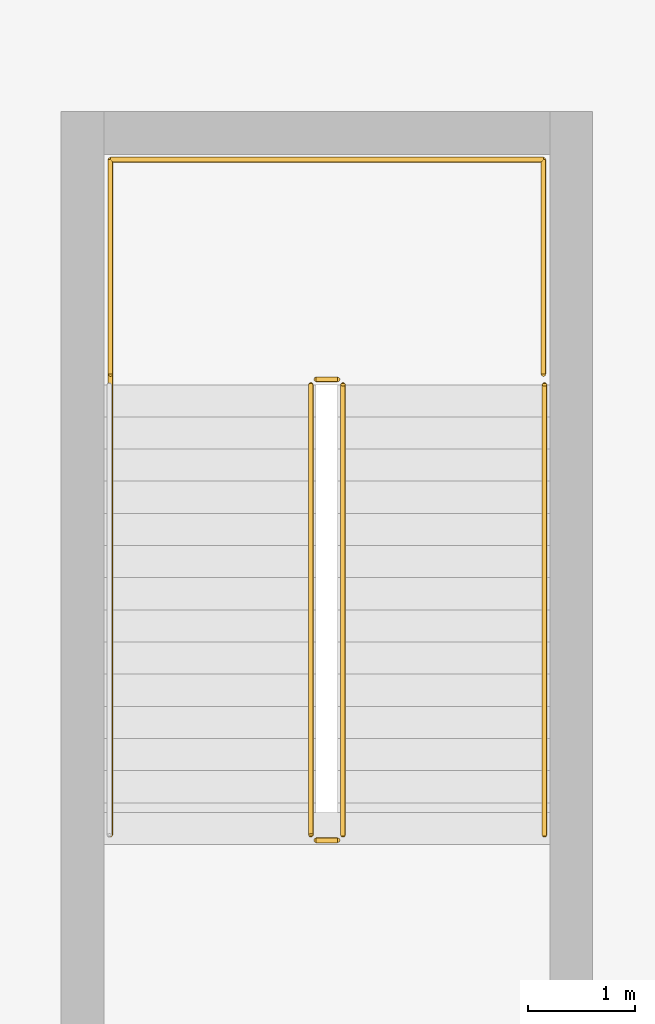
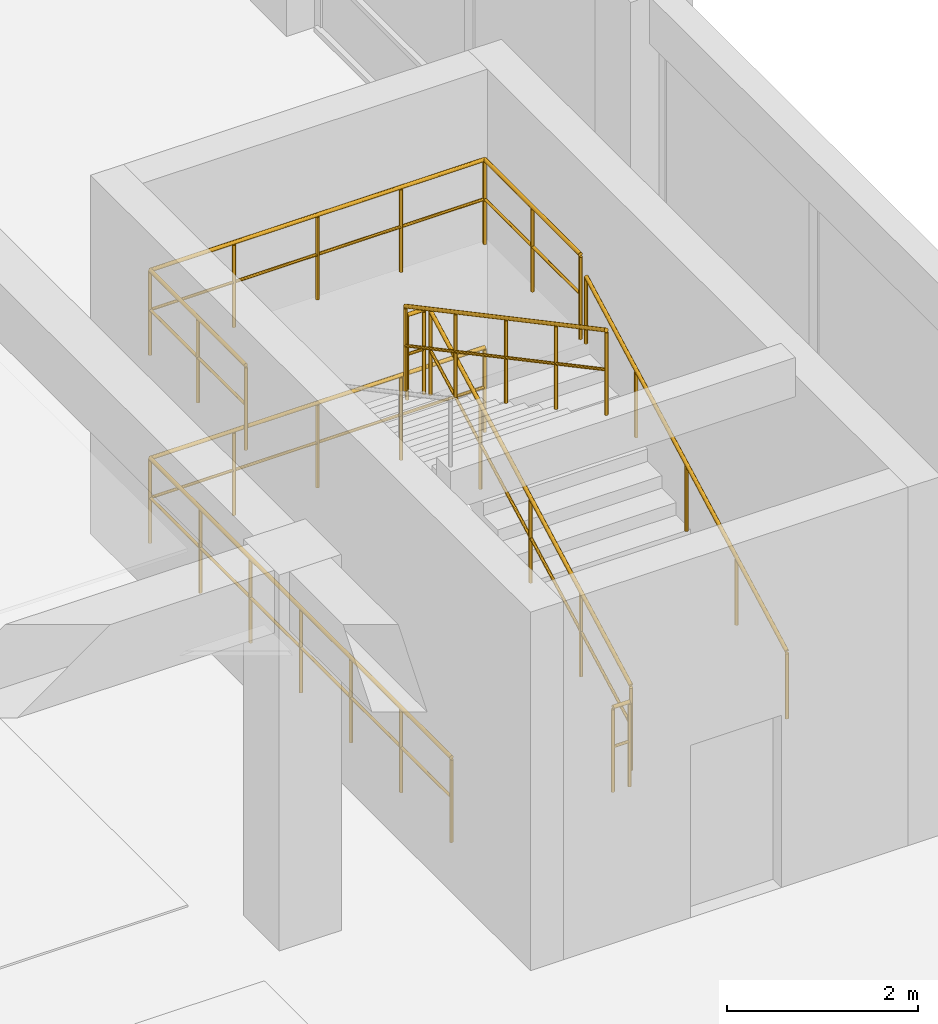
# One storey, part 48 of 52: 7 railings.
"""IFC4 building model written with IfcOpenShell, lengths in metres."""

from ifc_helpers import new_model, si_unit, direction, frame, origin, origin_2d, place, context, subcontext, project, spatial, circle, extrude, material, type_object, element, save


model = new_model("IFC4")

# Units and contexts
model_context = context("Model", 3, precision=1e-05, world=origin(), true_north=direction((0.0, 1.0)))
body_context = subcontext(model_context, "Body", "Model", "MODEL_VIEW")
ifc_project = project(units=[si_unit("LENGTHUNIT", "METRE"), si_unit("AREAUNIT", "SQUARE_METRE"), si_unit("VOLUMEUNIT", "CUBIC_METRE"), si_unit("PLANEANGLEUNIT", "RADIAN"), si_unit("MASSUNIT", "GRAM", prefix="KILO")], contexts=[model_context])

# Site, building, storey
site_placement = place(None, origin())
site = spatial("IfcSite", under=ifc_project, at=site_placement, CompositionType="ELEMENT")
building_placement = place(site_placement, origin())
building = spatial("IfcBuilding", under=site, at=building_placement, Name="Kenerak Square Central Library", CompositionType="ELEMENT")
storey_placement = place(building_placement, frame((0.0, 0.0, 4.800048828125)))
storey = spatial("IfcBuildingStorey", under=building, at=storey_placement, Name="L01", CompositionType="ELEMENT", Elevation=4.800048828125)

# Railings
ifc_material = material(Name="Steel S355", Category="steel")
railing_type_1 = type_object("IfcRailingType", Name="Safety Guardrail GR-1100 S355", PredefinedType="GUARDRAIL", material=ifc_material)
railing_1_placement = place(storey_placement, frame((113.14990234375, 60.449951171875, 0.159912109375)))
element("IfcRailing", 1, at=railing_1_placement, inside=storey, type_object=railing_type_1, Name="L01 ST-09 stair guard 1", PredefinedType="GUARDRAIL", context=body_context, shape_type="SweptSolid", body=[
    extrude(circle(Radius=0.02392578125, at=origin_2d()), frame((0.0, 0.0, 1.076171875), z_axis=(0.0, 0.882351521365, 0.470590897432), x_axis=(-1.0, 0.0, 0.0)), (0.0, 0.0, 1.0), 4.760009765625),
    extrude(circle(Radius=0.01806640625, at=origin_2d()), frame((0.0, 0.0, 0.572021484375), z_axis=(0.0, 0.882351521365, 0.470590897432), x_axis=(-1.0, 0.0, 0.0)), (0.0, 0.0, 1.0), 4.760009765625),
    extrude(circle(Radius=0.02099609375, at=origin_2d()), origin(), (0.0, 0.0, 1.0), 1.052001953125),
    extrude(circle(Radius=0.02099609375, at=origin_2d()), frame((0.0, 1.050048828125, 0.56005859375)), (0.0, 0.0, 1.0), 1.052001953125),
    extrude(circle(Radius=0.02099609375, at=origin_2d()), frame((0.0, 2.10009765625, 1.1201171875)), (0.0, 0.0, 1.0), 1.052001953125),
    extrude(circle(Radius=0.02099609375, at=origin_2d()), frame((0.0, 3.14990234375, 1.679931640625)), (0.0, 0.0, 1.0), 1.052001953125),
    extrude(circle(Radius=0.02099609375, at=origin_2d()), frame((0.0, 4.199951171875, 2.239990234375)), (0.0, 0.0, 1.0), 1.052001953125),
])
railing_2_placement = place(storey_placement, frame((113.10009765625, 64.699951171875, 2.39990234375)))
element("IfcRailing", 2, at=railing_2_placement, inside=storey, type_object=railing_type_1, Name="L01 ST-09 stair guard 2", PredefinedType="GUARDRAIL", context=body_context, shape_type="SweptSolid", body=[
    extrude(circle(Radius=0.02392578125, at=origin_2d()), frame((0.0, 0.0, 1.076171875), z_axis=(-1.0, 0.0, 0.0), x_axis=(0.0, -1.0, 0.0)), (0.0, 0.0, 1.0), 0.2001953125),
    extrude(circle(Radius=0.01806640625, at=origin_2d()), frame((0.0, 0.0, 0.572021484375), z_axis=(-1.0, 0.0, 0.0), x_axis=(0.0, -1.0, 0.0)), (0.0, 0.0, 1.0), 0.2001953125),
    extrude(circle(Radius=0.02099609375, at=origin_2d()), origin(), (0.0, 0.0, 1.0), 1.052001953125),
    extrude(circle(Radius=0.02099609375, at=origin_2d()), frame((-0.2001953125, 0.0, 0.0)), (0.0, 0.0, 1.0), 1.052001953125),
])
railing_3_placement = place(storey_placement, frame((112.85009765625, 64.64990234375, 2.56005859375)))
element("IfcRailing", 3, at=railing_3_placement, inside=storey, type_object=railing_type_1, Name="L01 ST-09 stair guard 3", PredefinedType="GUARDRAIL", context=body_context, shape_type="SweptSolid", body=[
    extrude(circle(Radius=0.02392578125, at=origin_2d()), frame((0.0, 0.0, 1.076171875), z_axis=(0.0, -0.882351521365, 0.470590897432), x_axis=(1.0, 0.0, 0.0)), (0.0, 0.0, 1.0), 4.760009765625),
    extrude(circle(Radius=0.01806640625, at=origin_2d()), frame((0.0, 0.0, 0.572021484375), z_axis=(0.0, -0.882351521365, 0.470590897432), x_axis=(1.0, 0.0, 0.0)), (0.0, 0.0, 1.0), 4.760009765625),
    extrude(circle(Radius=0.02099609375, at=origin_2d()), origin(), (0.0, 0.0, 1.0), 1.052001953125),
    extrude(circle(Radius=0.02099609375, at=origin_2d()), frame((0.0, -1.050048828125, 0.56005859375)), (0.0, 0.0, 1.0), 1.052001953125),
    extrude(circle(Radius=0.02099609375, at=origin_2d()), frame((0.0, -2.10009765625, 1.1201171875)), (0.0, 0.0, 1.0), 1.052001953125),
    extrude(circle(Radius=0.02099609375, at=origin_2d()), frame((0.0, -3.14990234375, 1.679931640625)), (0.0, 0.0, 1.0), 1.052001953125),
    extrude(circle(Radius=0.02099609375, at=origin_2d()), frame((0.0, -4.199951171875, 2.239990234375)), (0.0, 0.0, 1.0), 1.052001953125),
])
railing_4_placement = place(storey_placement, frame((113.10009765625, 60.39990234375, 0.0)))
element("IfcRailing", 4, at=railing_4_placement, inside=storey, type_object=railing_type_1, Name="L01 ST-09 stair guard 4", PredefinedType="GUARDRAIL", context=body_context, shape_type="SweptSolid", body=[
    extrude(circle(Radius=0.02392578125, at=origin_2d()), frame((0.0, 0.0, 1.076171875), z_axis=(-1.0, 0.0, 0.0), x_axis=(0.0, -1.0, 0.0)), (0.0, 0.0, 1.0), 0.2001953125),
    extrude(circle(Radius=0.01806640625, at=origin_2d()), frame((0.0, 0.0, 0.572021484375), z_axis=(-1.0, 0.0, 0.0), x_axis=(0.0, -1.0, 0.0)), (0.0, 0.0, 1.0), 0.2001953125),
    extrude(circle(Radius=0.02099609375, at=origin_2d()), origin(), (0.0, 0.0, 1.0), 1.052001953125),
    extrude(circle(Radius=0.02099609375, at=origin_2d()), frame((-0.2001953125, 0.0, 0.0)), (0.0, 0.0, 1.0), 1.052001953125),
])
railing_5_placement = place(storey_placement, frame((110.97998046875, 64.75, 2.39990234375)))
element("IfcRailing", 5, at=railing_5_placement, inside=storey, type_object=railing_type_1, Name="Stair Half-Landing Guard ST-09 L01", PredefinedType="GUARDRAIL", context=body_context, shape_type="SweptSolid", body=[
    extrude(circle(Radius=0.02392578125, at=origin_2d()), frame((0.0, 0.0, 1.076171875), z_axis=(0.0, 1.0, 0.0), x_axis=(-1.0, 0.0, 0.0)), (0.0, 0.0, 1.0), 2.0),
    extrude(circle(Radius=0.01806640625, at=origin_2d()), frame((0.0, 0.0, 0.572021484375), z_axis=(0.0, 1.0, 0.0), x_axis=(-1.0, 0.0, 0.0)), (0.0, 0.0, 1.0), 2.0),
    extrude(circle(Radius=0.02392578125, at=origin_2d()), frame((0.0, 2.0, 1.076171875), z_axis=(1.0, 0.0, 0.0), x_axis=(0.0, 1.0, 0.0)), (0.0, 0.0, 1.0), 4.0400390625),
    extrude(circle(Radius=0.01806640625, at=origin_2d()), frame((0.0, 2.0, 0.572021484375), z_axis=(1.0, 0.0, 0.0), x_axis=(0.0, 1.0, 0.0)), (0.0, 0.0, 1.0), 4.0400390625),
    extrude(circle(Radius=0.02392578125, at=origin_2d()), frame((4.0400390625, 2.0, 1.076171875), z_axis=(0.0, -1.0, 0.0), x_axis=(1.0, 0.0, 0.0)), (0.0, 0.0, 1.0), 2.0),
    extrude(circle(Radius=0.01806640625, at=origin_2d()), frame((4.0400390625, 2.0, 0.572021484375), z_axis=(0.0, -1.0, 0.0), x_axis=(1.0, 0.0, 0.0)), (0.0, 0.0, 1.0), 2.0),
    extrude(circle(Radius=0.02099609375, at=origin_2d()), origin(), (0.0, 0.0, 1.0), 1.052001953125),
    extrude(circle(Radius=0.02099609375, at=origin_2d()), frame((0.0, 1.0, 0.0)), (0.0, 0.0, 1.0), 1.052001953125),
    extrude(circle(Radius=0.02099609375, at=origin_2d()), frame((0.0, 2.0, 0.0)), (0.0, 0.0, 1.0), 1.052001953125),
    extrude(circle(Radius=0.02099609375, at=origin_2d()), frame((1.010009765625, 2.0, 0.0)), (0.0, 0.0, 1.0), 1.052001953125),
    extrude(circle(Radius=0.02099609375, at=origin_2d()), frame((2.02001953125, 2.0, 0.0)), (0.0, 0.0, 1.0), 1.052001953125),
    extrude(circle(Radius=0.02099609375, at=origin_2d()), frame((3.030029296875, 2.0, 0.0)), (0.0, 0.0, 1.0), 1.052001953125),
    extrude(circle(Radius=0.02099609375, at=origin_2d()), frame((4.0400390625, 2.0, 0.0)), (0.0, 0.0, 1.0), 1.052001953125),
    extrude(circle(Radius=0.02099609375, at=origin_2d()), frame((4.0400390625, 1.0, 0.0)), (0.0, 0.0, 1.0), 1.052001953125),
    extrude(circle(Radius=0.02099609375, at=origin_2d()), frame((4.0400390625, 0.0, 0.0)), (0.0, 0.0, 1.0), 1.052001953125),
])
railing_6_placement = place(storey_placement, frame((110.97998046875, 60.449951171875, 0.0)))
element("IfcRailing", 6, at=railing_6_placement, inside=storey, type_object=railing_type_1, Name="Stair Well Floor Guard ST-09 L01", PredefinedType="GUARDRAIL", context=body_context, shape_type="SweptSolid", body=[
    extrude(circle(Radius=0.02392578125, at=origin_2d()), frame((0.0, 0.0, 1.076171875), z_axis=(0.0, 1.0, 0.0), x_axis=(-1.0, 0.0, 0.0)), (0.0, 0.0, 1.0), 6.300048828125),
    extrude(circle(Radius=0.01806640625, at=origin_2d()), frame((0.0, 0.0, 0.572021484375), z_axis=(0.0, 1.0, 0.0), x_axis=(-1.0, 0.0, 0.0)), (0.0, 0.0, 1.0), 6.300048828125),
    extrude(circle(Radius=0.02392578125, at=origin_2d()), frame((0.0, 6.300048828125, 1.076171875), z_axis=(1.0, 0.0, 0.0), x_axis=(0.0, 1.0, 0.0)), (0.0, 0.0, 1.0), 4.0400390625),
    extrude(circle(Radius=0.01806640625, at=origin_2d()), frame((0.0, 6.300048828125, 0.572021484375), z_axis=(1.0, 0.0, 0.0), x_axis=(0.0, 1.0, 0.0)), (0.0, 0.0, 1.0), 4.0400390625),
    extrude(circle(Radius=0.02099609375, at=origin_2d()), origin(), (0.0, 0.0, 1.0), 1.052001953125),
    extrude(circle(Radius=0.02099609375, at=origin_2d()), frame((0.0, 1.050048828125, 0.0)), (0.0, 0.0, 1.0), 1.052001953125),
    extrude(circle(Radius=0.02099609375, at=origin_2d()), frame((0.0, 2.10009765625, 0.0)), (0.0, 0.0, 1.0), 1.052001953125),
    extrude(circle(Radius=0.02099609375, at=origin_2d()), frame((0.0, 3.14990234375, 0.0)), (0.0, 0.0, 1.0), 1.052001953125),
    extrude(circle(Radius=0.02099609375, at=origin_2d()), frame((0.0, 4.199951171875, 0.0)), (0.0, 0.0, 1.0), 1.052001953125),
    extrude(circle(Radius=0.02099609375, at=origin_2d()), frame((0.0, 5.25, 0.0)), (0.0, 0.0, 1.0), 1.052001953125),
    extrude(circle(Radius=0.02099609375, at=origin_2d()), frame((0.0, 6.300048828125, 0.0)), (0.0, 0.0, 1.0), 1.052001953125),
    extrude(circle(Radius=0.02099609375, at=origin_2d()), frame((1.010009765625, 6.300048828125, 0.0)), (0.0, 0.0, 1.0), 1.052001953125),
    extrude(circle(Radius=0.02099609375, at=origin_2d()), frame((2.02001953125, 6.300048828125, 0.0)), (0.0, 0.0, 1.0), 1.052001953125),
    extrude(circle(Radius=0.02099609375, at=origin_2d()), frame((3.030029296875, 6.300048828125, 0.0)), (0.0, 0.0, 1.0), 1.052001953125),
    extrude(circle(Radius=0.02099609375, at=origin_2d()), frame((4.0400390625, 6.300048828125, 0.0)), (0.0, 0.0, 1.0), 1.052001953125),
])
railing_type_2 = type_object("IfcRailingType", Name="Stair Handrail HR-880 S355", PredefinedType="HANDRAIL", material=ifc_material)
railing_7_placement = place(storey_placement, frame((115.030029296875, 60.449951171875, 0.159912109375)))
element("IfcRailing", 7, at=railing_7_placement, inside=storey, type_object=railing_type_2, Name="L01 ST-09 stair handrail 1", PredefinedType="HANDRAIL", context=body_context, shape_type="SweptSolid", body=[
    extrude(circle(Radius=0.02392578125, at=origin_2d()), frame((0.0, 0.0, 0.85595703125), z_axis=(0.0, 0.882351521365, 0.470590897432), x_axis=(-1.0, 0.0, 0.0)), (0.0, 0.0, 1.0), 4.760009765625),
    extrude(circle(Radius=0.02099609375, at=origin_2d()), origin(), (0.0, 0.0, 1.0), 0.831787109375),
    extrude(circle(Radius=0.02099609375, at=origin_2d()), frame((0.0, 1.050048828125, 0.56005859375)), (0.0, 0.0, 1.0), 0.831787109375),
    extrude(circle(Radius=0.02099609375, at=origin_2d()), frame((0.0, 2.10009765625, 1.1201171875)), (0.0, 0.0, 1.0), 0.831787109375),
    extrude(circle(Radius=0.02099609375, at=origin_2d()), frame((0.0, 3.14990234375, 1.679931640625)), (0.0, 0.0, 1.0), 0.831787109375),
    extrude(circle(Radius=0.02099609375, at=origin_2d()), frame((0.0, 4.199951171875, 2.239990234375)), (0.0, 0.0, 1.0), 0.831787109375),
])

save(model, "model.ifc")
